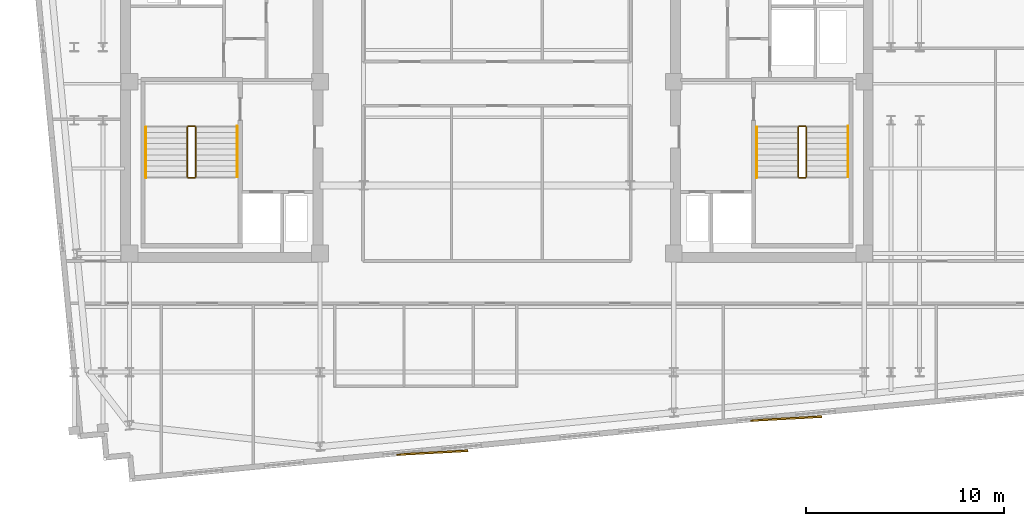
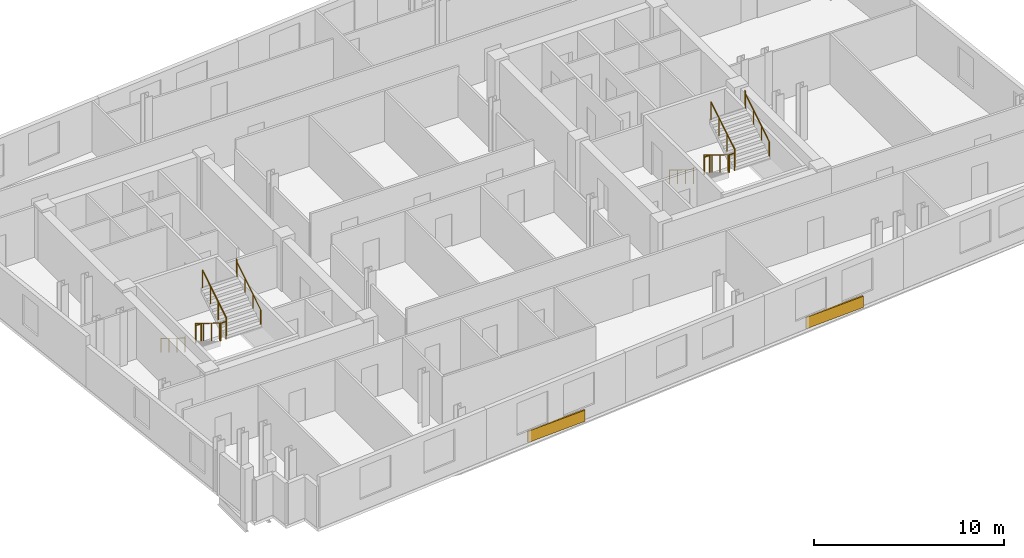
# One storey, part 8 of 9: 12 railings, 2 coverings.
"""IFC4 building model written with IfcOpenShell, lengths in metres."""

from ifc_helpers import new_model, si_unit, direction, frame, origin, origin_2d, place, context, subcontext, project, spatial, rectangle, circle, extrude, material, layer, layer_set, type_object, element, save


model = new_model("IFC4")

# Units and contexts
model_context = context("Model", 3, precision=1e-05, world=origin(), true_north=direction((0.0, 1.0)))
body_context = subcontext(model_context, "Body", "Model", "MODEL_VIEW")
ifc_project = project(units=[si_unit("LENGTHUNIT", "METRE"), si_unit("AREAUNIT", "SQUARE_METRE"), si_unit("VOLUMEUNIT", "CUBIC_METRE"), si_unit("PLANEANGLEUNIT", "RADIAN"), si_unit("MASSUNIT", "GRAM", prefix="KILO")], contexts=[model_context])

# Site, building, storey
site_placement = place(None, origin())
site = spatial("IfcSite", under=ifc_project, at=site_placement, CompositionType="ELEMENT")
building_placement = place(site_placement, origin())
building = spatial("IfcBuilding", under=site, at=building_placement, Name="Velakula Bourse", CompositionType="ELEMENT")
storey_placement = place(building_placement, frame((0.0, 0.0, 275.85009765625)))
storey = spatial("IfcBuildingStorey", under=building, at=storey_placement, Name="L75", CompositionType="ELEMENT", Elevation=275.85009765625)

# Coverings
ifc_material_1 = material(Name="Buff kilned clay facing brick masonry", Category="masonry")
ifc_layer = layer(ifc_material_1, 0.074951171875, Name="Buff kilned clay facing brick masonry", Category="masonry")
ifc_layer_set = layer_set([ifc_layer], Name="Buff kilned clay facing brick masonry")
covering_type = type_object("IfcCoveringType", Name="COV-BRK-SPN-75", PredefinedType="CLADDING", material=ifc_layer_set)
for number, where, z_axis, x_axis, name in (
    (1, (-3.26220703125, -18.68115234375, 0.0), (0.0, 0.0, 1.0), (0.998489097451, 0.054950179912, 0.0), "L75 Folded Brick Facade Cladding Panel S-B2"),
    (2, (14.655029296875, -16.955810546875, 0.0), (0.0, 0.0, 1.0), (0.998489097451, 0.054950179912, 0.0), "L75 Folded Brick Facade Cladding Panel S-B4"),
):
    element("IfcCovering", number, at=place(storey_placement, frame(where, z_axis=z_axis, x_axis=x_axis)), inside=storey, type_object=covering_type, Name=name, PredefinedType="CLADDING", context=body_context, shape_type="SweptSolid", body=[
        extrude(rectangle(XDim=3.60009765625, YDim=0.090087890625, at=origin_2d()), origin(), (0.0, 0.0, 1.0), 0.719970703125),
    ])

# Railings
ifc_material_2 = material(Name="Brushed grade 316 stainless steel", Category="steel")
railing_type_1 = type_object("IfcRailingType", Name="RLG-STAIR-GUARD-1150", PredefinedType="BALUSTRADE", material=ifc_material_2)
railing_1_placement = place(storey_placement, frame((-15.672119140625, -2.199951171875, 0.17236328125)))
element("IfcRailing", 3, at=railing_1_placement, inside=storey, type_object=railing_type_1, Name="L75 ST-W1 stair guard 1", PredefinedType="BALUSTRADE", context=body_context, shape_type="SweptSolid", body=[
    extrude(circle(Radius=0.02490234375, at=origin_2d()), frame((0.0, 0.0, 1.125), z_axis=(0.0, -0.851400495292, 0.524516154772), x_axis=(1.0, 0.0, 0.0)), (0.0, 0.0, 1.0), 2.9599609375),
    extrude(circle(Radius=0.02099609375, at=origin_2d()), origin(), (0.0, 0.0, 1.0), 1.099853515625),
    extrude(circle(Radius=0.02099609375, at=origin_2d()), frame((0.0, -0.840087890625, 0.517578125)), (0.0, 0.0, 1.0), 1.099853515625),
    extrude(circle(Radius=0.02099609375, at=origin_2d()), frame((0.0, -1.679931640625, 1.034912109375)), (0.0, 0.0, 1.0), 1.099853515625),
    extrude(circle(Radius=0.02099609375, at=origin_2d()), frame((0.0, -2.52001953125, 1.552490234375)), (0.0, 0.0, 1.0), 1.099853515625),
])
railing_2_placement = place(storey_placement, frame((-15.6220703125, -4.77001953125, 1.724853515625)))
element("IfcRailing", 4, at=railing_2_placement, inside=storey, type_object=railing_type_1, Name="L75 ST-W1 stair guard 2", PredefinedType="BALUSTRADE", context=body_context, shape_type="SweptSolid", body=[
    extrude(circle(Radius=0.02490234375, at=origin_2d()), frame((0.0, 0.0, 1.125), z_axis=(1.0, 0.0, 0.0), x_axis=(0.0, 1.0, 0.0)), (0.0, 0.0, 1.0), 0.323974609375),
    extrude(circle(Radius=0.02099609375, at=origin_2d()), origin(), (0.0, 0.0, 1.0), 1.099853515625),
    extrude(circle(Radius=0.02099609375, at=origin_2d()), frame((0.323974609375, 0.0, 0.0)), (0.0, 0.0, 1.0), 1.099853515625),
])
railing_3_placement = place(storey_placement, frame((-15.248046875, -4.719970703125, 1.8974609375)))
element("IfcRailing", 5, at=railing_3_placement, inside=storey, type_object=railing_type_1, Name="L75 ST-W1 stair guard 3", PredefinedType="BALUSTRADE", context=body_context, shape_type="SweptSolid", body=[
    extrude(circle(Radius=0.02490234375, at=origin_2d()), frame((0.0, 0.0, 1.125), z_axis=(0.0, 0.851400495292, 0.524516154772), x_axis=(-1.0, 0.0, 0.0)), (0.0, 0.0, 1.0), 2.9599609375),
    extrude(circle(Radius=0.02099609375, at=origin_2d()), origin(), (0.0, 0.0, 1.0), 1.099853515625),
    extrude(circle(Radius=0.02099609375, at=origin_2d()), frame((0.0, 0.840087890625, 0.517578125)), (0.0, 0.0, 1.0), 1.099853515625),
    extrude(circle(Radius=0.02099609375, at=origin_2d()), frame((0.0, 1.679931640625, 1.034912109375)), (0.0, 0.0, 1.0), 1.099853515625),
    extrude(circle(Radius=0.02099609375, at=origin_2d()), frame((0.0, 2.52001953125, 1.552490234375)), (0.0, 0.0, 1.0), 1.099853515625),
])
railing_4_placement = place(storey_placement, frame((-15.6220703125, -2.14990234375, 0.0)))
element("IfcRailing", 6, at=railing_4_placement, inside=storey, type_object=railing_type_1, Name="L75 ST-W1 stair guard 4", PredefinedType="BALUSTRADE", context=body_context, shape_type="SweptSolid", body=[
    extrude(circle(Radius=0.02490234375, at=origin_2d()), frame((0.0, 0.0, 1.125), z_axis=(1.0, 0.0, 0.0), x_axis=(0.0, 1.0, 0.0)), (0.0, 0.0, 1.0), 0.323974609375),
    extrude(circle(Radius=0.02099609375, at=origin_2d()), origin(), (0.0, 0.0, 1.0), 1.099853515625),
    extrude(circle(Radius=0.02099609375, at=origin_2d()), frame((0.323974609375, 0.0, 0.0)), (0.0, 0.0, 1.0), 1.099853515625),
])
railing_5_placement = place(storey_placement, frame((15.248046875, -2.199951171875, 0.17236328125)))
element("IfcRailing", 7, at=railing_5_placement, inside=storey, type_object=railing_type_1, Name="L75 ST-E1 stair guard 1", PredefinedType="BALUSTRADE", context=body_context, shape_type="SweptSolid", body=[
    extrude(circle(Radius=0.02490234375, at=origin_2d()), frame((0.0, 0.0, 1.125), z_axis=(0.0, -0.851400495292, 0.524516154772), x_axis=(1.0, 0.0, 0.0)), (0.0, 0.0, 1.0), 2.9599609375),
    extrude(circle(Radius=0.02099609375, at=origin_2d()), origin(), (0.0, 0.0, 1.0), 1.099853515625),
    extrude(circle(Radius=0.02099609375, at=origin_2d()), frame((0.0, -0.840087890625, 0.517578125)), (0.0, 0.0, 1.0), 1.099853515625),
    extrude(circle(Radius=0.02099609375, at=origin_2d()), frame((0.0, -1.679931640625, 1.034912109375)), (0.0, 0.0, 1.0), 1.099853515625),
    extrude(circle(Radius=0.02099609375, at=origin_2d()), frame((0.0, -2.52001953125, 1.552490234375)), (0.0, 0.0, 1.0), 1.099853515625),
])
railing_6_placement = place(storey_placement, frame((15.298095703125, -4.77001953125, 1.724853515625)))
element("IfcRailing", 8, at=railing_6_placement, inside=storey, type_object=railing_type_1, Name="L75 ST-E1 stair guard 2", PredefinedType="BALUSTRADE", context=body_context, shape_type="SweptSolid", body=[
    extrude(circle(Radius=0.02490234375, at=origin_2d()), frame((0.0, 0.0, 1.125), z_axis=(1.0, 0.0, 0.0), x_axis=(0.0, 1.0, 0.0)), (0.0, 0.0, 1.0), 0.323974609375),
    extrude(circle(Radius=0.02099609375, at=origin_2d()), origin(), (0.0, 0.0, 1.0), 1.099853515625),
    extrude(circle(Radius=0.02099609375, at=origin_2d()), frame((0.323974609375, 0.0, 0.0)), (0.0, 0.0, 1.0), 1.099853515625),
])
railing_7_placement = place(storey_placement, frame((15.672119140625, -4.719970703125, 1.8974609375)))
element("IfcRailing", 9, at=railing_7_placement, inside=storey, type_object=railing_type_1, Name="L75 ST-E1 stair guard 3", PredefinedType="BALUSTRADE", context=body_context, shape_type="SweptSolid", body=[
    extrude(circle(Radius=0.02490234375, at=origin_2d()), frame((0.0, 0.0, 1.125), z_axis=(0.0, 0.851400495292, 0.524516154772), x_axis=(-1.0, 0.0, 0.0)), (0.0, 0.0, 1.0), 2.9599609375),
    extrude(circle(Radius=0.02099609375, at=origin_2d()), origin(), (0.0, 0.0, 1.0), 1.099853515625),
    extrude(circle(Radius=0.02099609375, at=origin_2d()), frame((0.0, 0.840087890625, 0.517578125)), (0.0, 0.0, 1.0), 1.099853515625),
    extrude(circle(Radius=0.02099609375, at=origin_2d()), frame((0.0, 1.679931640625, 1.034912109375)), (0.0, 0.0, 1.0), 1.099853515625),
    extrude(circle(Radius=0.02099609375, at=origin_2d()), frame((0.0, 2.52001953125, 1.552490234375)), (0.0, 0.0, 1.0), 1.099853515625),
])
railing_8_placement = place(storey_placement, frame((15.298095703125, -2.14990234375, 0.0)))
element("IfcRailing", 10, at=railing_8_placement, inside=storey, type_object=railing_type_1, Name="L75 ST-E1 stair guard 4", PredefinedType="BALUSTRADE", context=body_context, shape_type="SweptSolid", body=[
    extrude(circle(Radius=0.02490234375, at=origin_2d()), frame((0.0, 0.0, 1.125), z_axis=(1.0, 0.0, 0.0), x_axis=(0.0, 1.0, 0.0)), (0.0, 0.0, 1.0), 0.323974609375),
    extrude(circle(Radius=0.02099609375, at=origin_2d()), origin(), (0.0, 0.0, 1.0), 1.099853515625),
    extrude(circle(Radius=0.02099609375, at=origin_2d()), frame((0.323974609375, 0.0, 0.0)), (0.0, 0.0, 1.0), 1.099853515625),
])
railing_type_2 = type_object("IfcRailingType", Name="RLG-STAIR-HAND-920", PredefinedType="HANDRAIL", material=ifc_material_2)
railing_9_placement = place(storey_placement, frame((-17.77001953125, -2.199951171875, 0.17236328125)))
element("IfcRailing", 11, at=railing_9_placement, inside=storey, type_object=railing_type_2, Name="L75 ST-W1 stair handrail 1", PredefinedType="HANDRAIL", context=body_context, shape_type="SweptSolid", body=[
    extrude(circle(Radius=0.02099609375, at=origin_2d()), frame((0.0, 0.0, 0.89892578125), z_axis=(0.0, -0.851400495292, 0.524516154772), x_axis=(1.0, 0.0, 0.0)), (0.0, 0.0, 1.0), 2.9599609375),
    extrude(circle(Radius=0.02099609375, at=origin_2d()), frame((0.0, -2.52001953125, 2.451416015625), z_axis=(0.0, -0.22596628056, 0.974135124123), x_axis=(1.0, 0.0, 0.0)), (0.0, 0.0, 1.0), 0.17724609375),
    extrude(circle(Radius=0.02099609375, at=origin_2d()), frame((0.0, -2.56005859375, 2.6240234375), z_axis=(0.0, -1.0, 0.0), x_axis=(1.0, 0.0, 0.0)), (0.0, 0.0, 1.0), 0.0048828125),
    extrude(circle(Radius=0.02099609375, at=origin_2d()), origin(), (0.0, 0.0, 1.0), 0.8779296875),
    extrude(circle(Radius=0.02099609375, at=origin_2d()), frame((0.0, -0.840087890625, 0.517578125)), (0.0, 0.0, 1.0), 0.8779296875),
    extrude(circle(Radius=0.02099609375, at=origin_2d()), frame((0.0, -1.679931640625, 1.034912109375)), (0.0, 0.0, 1.0), 0.8779296875),
    extrude(circle(Radius=0.02099609375, at=origin_2d()), frame((0.0, -2.52001953125, 1.552490234375)), (0.0, 0.0, 1.0), 0.8779296875),
    extrude(circle(Radius=0.02099609375, at=origin_2d()), frame((0.0, -2.56005859375, 1.72509765625)), (0.0, 0.0, 1.0), 0.8779296875),
    extrude(circle(Radius=0.02099609375, at=origin_2d()), frame((0.0, -2.56494140625, 1.72509765625)), (0.0, 0.0, 1.0), 0.8779296875),
])
railing_10_placement = place(storey_placement, frame((-13.14990234375, -4.719970703125, 1.8974609375)))
element("IfcRailing", 12, at=railing_10_placement, inside=storey, type_object=railing_type_2, Name="L75 ST-W1 stair handrail 2", PredefinedType="HANDRAIL", context=body_context, shape_type="SweptSolid", body=[
    extrude(circle(Radius=0.02099609375, at=origin_2d()), frame((0.0, 0.0, 0.89892578125), z_axis=(0.0, 0.851400495292, 0.524516154772), x_axis=(-1.0, 0.0, 0.0)), (0.0, 0.0, 1.0), 2.9599609375),
    extrude(circle(Radius=0.02099609375, at=origin_2d()), frame((0.0, 2.52001953125, 2.451416015625), z_axis=(0.0, 0.226269970362, 0.974064628509), x_axis=(-1.0, 0.0, 0.0)), (0.0, 0.0, 1.0), 0.177001953125),
    extrude(circle(Radius=0.02099609375, at=origin_2d()), frame((0.0, 2.56005859375, 2.623779296875), z_axis=(0.0, 1.0, 0.0), x_axis=(-1.0, 0.0, 0.0)), (0.0, 0.0, 1.0), 0.0048828125),
    extrude(circle(Radius=0.02099609375, at=origin_2d()), origin(), (0.0, 0.0, 1.0), 0.8779296875),
    extrude(circle(Radius=0.02099609375, at=origin_2d()), frame((0.0, 0.840087890625, 0.517578125)), (0.0, 0.0, 1.0), 0.8779296875),
    extrude(circle(Radius=0.02099609375, at=origin_2d()), frame((0.0, 1.679931640625, 1.034912109375)), (0.0, 0.0, 1.0), 0.8779296875),
    extrude(circle(Radius=0.02099609375, at=origin_2d()), frame((0.0, 2.52001953125, 1.552490234375)), (0.0, 0.0, 1.0), 0.8779296875),
    extrude(circle(Radius=0.02099609375, at=origin_2d()), frame((0.0, 2.56005859375, 1.724853515625)), (0.0, 0.0, 1.0), 0.8779296875),
    extrude(circle(Radius=0.02099609375, at=origin_2d()), frame((0.0, 2.56494140625, 1.724853515625)), (0.0, 0.0, 1.0), 0.8779296875),
])
railing_11_placement = place(storey_placement, frame((13.14990234375, -2.199951171875, 0.17236328125)))
element("IfcRailing", 13, at=railing_11_placement, inside=storey, type_object=railing_type_2, Name="L75 ST-E1 stair handrail 1", PredefinedType="HANDRAIL", context=body_context, shape_type="SweptSolid", body=[
    extrude(circle(Radius=0.02099609375, at=origin_2d()), frame((0.0, 0.0, 0.89892578125), z_axis=(0.0, -0.851400495292, 0.524516154772), x_axis=(1.0, 0.0, 0.0)), (0.0, 0.0, 1.0), 2.9599609375),
    extrude(circle(Radius=0.02099609375, at=origin_2d()), frame((0.0, -2.52001953125, 2.451416015625), z_axis=(0.0, -0.22596628056, 0.974135124123), x_axis=(1.0, 0.0, 0.0)), (0.0, 0.0, 1.0), 0.17724609375),
    extrude(circle(Radius=0.02099609375, at=origin_2d()), frame((0.0, -2.56005859375, 2.6240234375), z_axis=(0.0, -1.0, 0.0), x_axis=(1.0, 0.0, 0.0)), (0.0, 0.0, 1.0), 0.0048828125),
    extrude(circle(Radius=0.02099609375, at=origin_2d()), origin(), (0.0, 0.0, 1.0), 0.8779296875),
    extrude(circle(Radius=0.02099609375, at=origin_2d()), frame((0.0, -0.840087890625, 0.517578125)), (0.0, 0.0, 1.0), 0.8779296875),
    extrude(circle(Radius=0.02099609375, at=origin_2d()), frame((0.0, -1.679931640625, 1.034912109375)), (0.0, 0.0, 1.0), 0.8779296875),
    extrude(circle(Radius=0.02099609375, at=origin_2d()), frame((0.0, -2.52001953125, 1.552490234375)), (0.0, 0.0, 1.0), 0.8779296875),
    extrude(circle(Radius=0.02099609375, at=origin_2d()), frame((0.0, -2.56005859375, 1.72509765625)), (0.0, 0.0, 1.0), 0.8779296875),
    extrude(circle(Radius=0.02099609375, at=origin_2d()), frame((0.0, -2.56494140625, 1.72509765625)), (0.0, 0.0, 1.0), 0.8779296875),
])
railing_12_placement = place(storey_placement, frame((17.77001953125, -4.719970703125, 1.8974609375)))
element("IfcRailing", 14, at=railing_12_placement, inside=storey, type_object=railing_type_2, Name="L75 ST-E1 stair handrail 2", PredefinedType="HANDRAIL", context=body_context, shape_type="SweptSolid", body=[
    extrude(circle(Radius=0.02099609375, at=origin_2d()), frame((0.0, 0.0, 0.89892578125), z_axis=(0.0, 0.851400495292, 0.524516154772), x_axis=(-1.0, 0.0, 0.0)), (0.0, 0.0, 1.0), 2.9599609375),
    extrude(circle(Radius=0.02099609375, at=origin_2d()), frame((0.0, 2.52001953125, 2.451416015625), z_axis=(0.0, 0.226269970362, 0.974064628509), x_axis=(-1.0, 0.0, 0.0)), (0.0, 0.0, 1.0), 0.177001953125),
    extrude(circle(Radius=0.02099609375, at=origin_2d()), frame((0.0, 2.56005859375, 2.623779296875), z_axis=(0.0, 1.0, 0.0), x_axis=(-1.0, 0.0, 0.0)), (0.0, 0.0, 1.0), 0.0048828125),
    extrude(circle(Radius=0.02099609375, at=origin_2d()), origin(), (0.0, 0.0, 1.0), 0.8779296875),
    extrude(circle(Radius=0.02099609375, at=origin_2d()), frame((0.0, 0.840087890625, 0.517578125)), (0.0, 0.0, 1.0), 0.8779296875),
    extrude(circle(Radius=0.02099609375, at=origin_2d()), frame((0.0, 1.679931640625, 1.034912109375)), (0.0, 0.0, 1.0), 0.8779296875),
    extrude(circle(Radius=0.02099609375, at=origin_2d()), frame((0.0, 2.52001953125, 1.552490234375)), (0.0, 0.0, 1.0), 0.8779296875),
    extrude(circle(Radius=0.02099609375, at=origin_2d()), frame((0.0, 2.56005859375, 1.724853515625)), (0.0, 0.0, 1.0), 0.8779296875),
    extrude(circle(Radius=0.02099609375, at=origin_2d()), frame((0.0, 2.56494140625, 1.724853515625)), (0.0, 0.0, 1.0), 0.8779296875),
])

save(model, "model.ifc")
